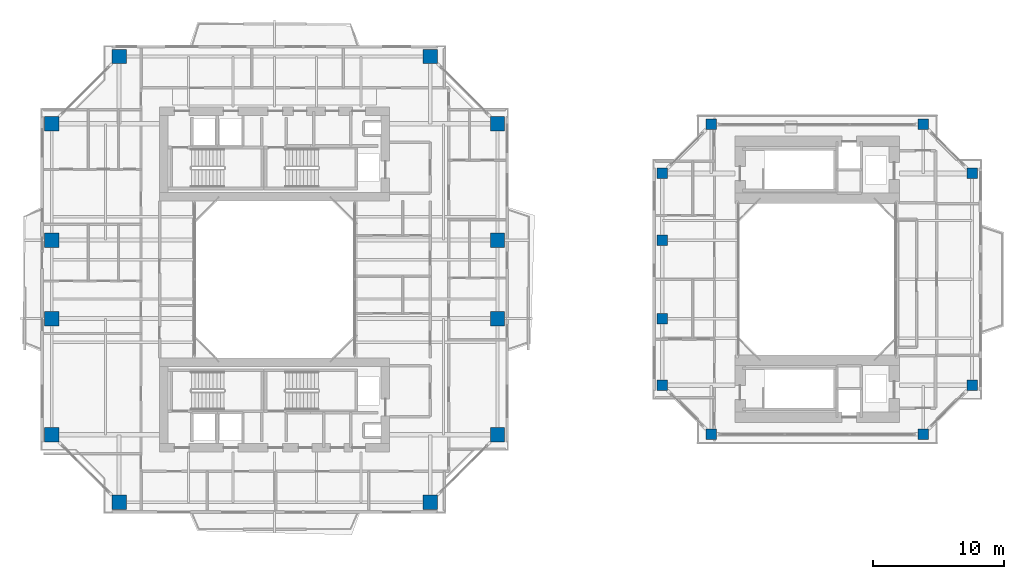
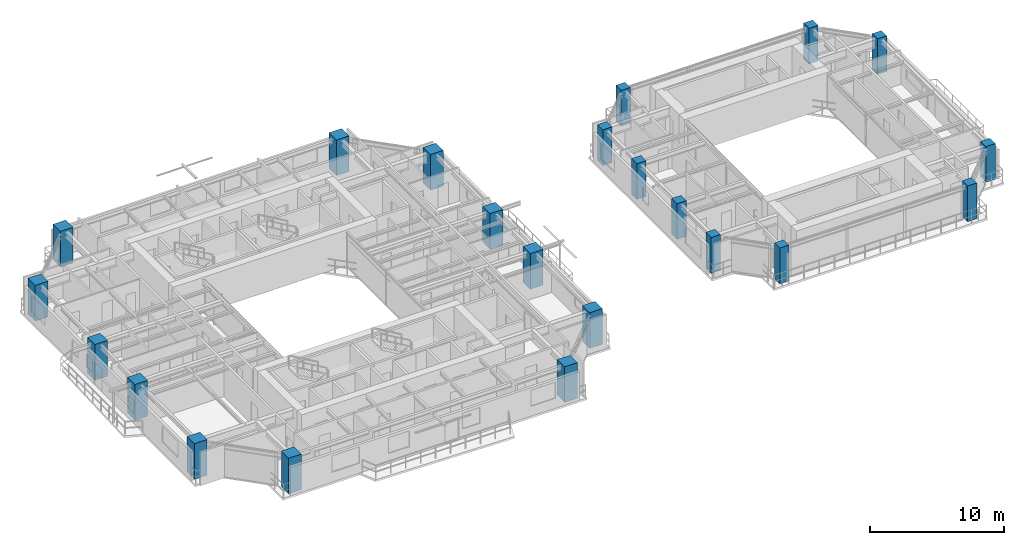
# One storey, part 1 of 24: 22 columns.
"""IFC4 building model written with IfcOpenShell, lengths in metres."""

import ifcopenshell
import ifcopenshell.guid

model = None  # the IFC model being written
_history = None  # IfcOwnerHistory: only IFC2X3 demands one
_inside = {}  # id of a spatial element -> (the spatial element, [elements in it])
_under = {}  # id of a project, library or spatial element -> (it, [spatial elements below it])
_declared = {}  # id of a project -> (the project, [libraries it declares])
_typed = {}  # id of a type object -> (the type object, [elements of that type])
_made_of = {}  # id of a material, layer set ... -> (it, [elements and type objects made of it])


def new_model(schema):
    """Start an empty IFC model of exactly this schema.

    Asked for "IFC4X3", IfcOpenShell would pick the latest addendum, in which some entities
    have other attributes; the version numbers below select the first issue.
    IFC2X3 requires an IfcOwnerHistory on every rooted entity: one is made here for all.
    """
    global model, _history
    if schema == "IFC4X3":
        model = ifcopenshell.file(schema_version=(4, 3, 0, 0))
    else:
        model = ifcopenshell.file(schema=schema)
    _inside.clear()
    _under.clear()
    _declared.clear()
    _typed.clear()
    _made_of.clear()
    _history = None
    if model.schema == "IFC2X3":
        org = make("IfcOrganization", Name="unknown")
        user = make(
            "IfcPersonAndOrganization",
            ThePerson=make("IfcPerson", FamilyName="unknown"),
            TheOrganization=org,
        )
        app = make(
            "IfcApplication",
            ApplicationDeveloper=org,
            Version="unknown",
            ApplicationFullName="unknown",
            ApplicationIdentifier="unknown",
        )
        _history = make(
            "IfcOwnerHistory",
            OwningUser=user,
            OwningApplication=app,
            ChangeAction="ADDED",
            CreationDate=0,
        )
    return model


def make(cls, **values):
    """One entity of the class cls with the attributes given. An attribute that is None is left unset."""
    return model.create_entity(
        cls, **{name: value for name, value in values.items() if value is not None}
    )


def rooted(cls, **values):
    """An entity with a GlobalId (a new one), such as an element, a storey or a relation."""
    return make(cls, GlobalId=ifcopenshell.guid.new(), OwnerHistory=_history, **values)


def si_unit(unit_type, name, prefix=None):
    """IfcSIUnit, for example si_unit("LENGTHUNIT", "METRE", prefix="MILLI")."""
    return make("IfcSIUnit", UnitType=unit_type, Prefix=prefix, Name=name)


def assignment(units):
    """IfcUnitAssignment: the units of a project."""
    return None if units is None else make("IfcUnitAssignment", Units=units)


def point(xyz):
    """IfcCartesianPoint."""
    return None if xyz is None else make("IfcCartesianPoint", Coordinates=xyz)


def direction(xyz):
    """IfcDirection."""
    return None if xyz is None else make("IfcDirection", DirectionRatios=xyz)


def frame(location, z_axis=None, x_axis=None):
    """IfcAxis2Placement3D, a coordinate frame: its origin and axes. An axis left out is left unset."""
    return make(
        "IfcAxis2Placement3D",
        Location=point(location),
        Axis=direction(z_axis),
        RefDirection=direction(x_axis),
    )


def frame_2d(location, x_axis=None):
    """IfcAxis2Placement2D, a coordinate frame in the plane: its origin and x axis."""
    return make(
        "IfcAxis2Placement2D", Location=point(location), RefDirection=direction(x_axis)
    )


def origin():
    """The frame at (0, 0, 0) with its axes left unset."""
    return frame((0.0, 0.0, 0.0))


def origin_2d():
    """The frame at (0, 0) in the plane with its x axis left unset."""
    return frame_2d((0.0, 0.0))


def place(relative_to, where):
    """IfcLocalPlacement: puts the frame where relative to a parent placement (None: the world)."""
    return make(
        "IfcLocalPlacement", PlacementRelTo=relative_to, RelativePlacement=where
    )


def context(
    kind, dimensions, precision=None, world=None, true_north=None, identifier=None
):
    """IfcGeometricRepresentationContext, for example the 3D "Model" context."""
    return make(
        "IfcGeometricRepresentationContext",
        ContextIdentifier=identifier,
        ContextType=kind,
        CoordinateSpaceDimension=dimensions,
        Precision=precision,
        WorldCoordinateSystem=world,
        TrueNorth=true_north,
    )


def subcontext(parent, identifier, kind, view, scale=None):
    """IfcGeometricRepresentationSubContext, for example "Body" below "Model"."""
    return make(
        "IfcGeometricRepresentationSubContext",
        ContextIdentifier=identifier,
        ContextType=kind,
        ParentContext=parent,
        TargetScale=scale,
        TargetView=view,
    )


def project(units=None, contexts=None):
    """IfcProject with its units and contexts."""
    return rooted(
        "IfcProject",
        Name="project",
        RepresentationContexts=contexts,
        UnitsInContext=assignment(units),
    )


def spatial(cls, under=None, at=None, **own):
    """A site, building, storey or space (cls), placed at a placement, below another one or the project."""
    s = rooted(cls, ObjectPlacement=at, **own)
    if under is not None:
        _under.setdefault(under.id(), (under, []))[1].append(s)
    return s


def profile(cls, at=None, kind="AREA", **sizes):
    """A parametric profile (cls). Its sizes go by their IFC names, for example OverallWidth=200.0."""
    return make(cls, ProfileType=kind, Position=at, **sizes)


def rectangle(**sizes):
    """IfcRectangleProfileDef."""
    return profile("IfcRectangleProfileDef", **sizes)


def extrude(swept, where, along, depth):
    """IfcExtrudedAreaSolid: the profile swept, set in the frame where, extruded along a direction by depth."""
    return make(
        "IfcExtrudedAreaSolid",
        SweptArea=swept,
        Position=where,
        ExtrudedDirection=direction(along),
        Depth=depth,
    )


def shape(context_of_items, identifier, shape_type, items):
    """IfcShapeRepresentation: the items that make up one representation, for example the "Body"."""
    return make(
        "IfcShapeRepresentation",
        ContextOfItems=context_of_items,
        RepresentationIdentifier=identifier,
        RepresentationType=shape_type,
        Items=items,
    )


def source(mapping_origin, context_of_items, identifier, shape_type, items):
    """IfcRepresentationMap: a shape defined once, which mapped items show again and again."""
    return make(
        "IfcRepresentationMap",
        MappingOrigin=mapping_origin,
        MappedRepresentation=shape(context_of_items, identifier, shape_type, items),
    )


def transform(
    local_origin,
    x_axis=None,
    y_axis=None,
    z_axis=None,
    scale=None,
    scale2=None,
    scale3=None,
    uniform=True,
):
    """IfcCartesianTransformationOperator3D, or its non-uniform kind. x_axis, y_axis, z_axis: its Axis1, 2, 3."""
    if uniform:
        return make(
            "IfcCartesianTransformationOperator3D",
            Axis1=direction(x_axis),
            Axis2=direction(y_axis),
            LocalOrigin=point(local_origin),
            Scale=scale,
            Axis3=direction(z_axis),
        )
    return make(
        "IfcCartesianTransformationOperator3DnonUniform",
        Axis1=direction(x_axis),
        Axis2=direction(y_axis),
        LocalOrigin=point(local_origin),
        Scale=scale,
        Axis3=direction(z_axis),
        Scale2=scale2,
        Scale3=scale3,
    )


def mapped(mapping_source, mapping_target):
    """IfcMappedItem: shows the shape of a source again, moved by a transform."""
    return make(
        "IfcMappedItem", MappingSource=mapping_source, MappingTarget=mapping_target
    )


def material(Name=None, Category=None):
    """IfcMaterial."""
    return make("IfcMaterial", Name=Name, Category=Category)


def material_profile(
    of_material, cross_section, Name=None, Category=None, Priority=None
):
    """IfcMaterialProfile: a cross section and its material."""
    return make(
        "IfcMaterialProfile",
        Name=Name,
        Material=of_material,
        Profile=cross_section,
        Priority=Priority,
        Category=Category,
    )


def profile_set(profiles, Name=None, composite=None):
    """IfcMaterialProfileSet."""
    return make(
        "IfcMaterialProfileSet",
        Name=Name,
        MaterialProfiles=profiles,
        CompositeProfile=composite,
    )


def made_of(thing, what):
    """Note that an element or type object is made of a material, layer set ...; save() writes the relation."""
    if what is not None:
        _made_of.setdefault(what.id(), (what, []))[1].append(thing)
    return thing


def type_object(cls, material=None, **own):
    """A type object (cls), such as IfcWallType, which elements share."""
    return made_of(rooted(cls, **own), material)


def element(
    cls,
    number,
    at=None,
    inside=None,
    cuts=None,
    type_object=None,
    material=None,
    context=None,
    identifier="Body",
    shape_type=None,
    held_by="IfcProductDefinitionShape",
    body=None,
    shapes=None,
    **own,
):
    """One element of the class cls, such as IfcWall. Its Tag is "e" and its number.

    at: its placement. inside: the storey or other place that contains it. cuts: it is an
    opening in that element (IfcRelVoidsElement). A single representation is given by context,
    identifier, shape_type and body (its items); several are given by shapes. held_by: the class
    of the entity that holds the representations. save() writes the other relations.
    """
    e = rooted(cls, Tag="e%d" % number, ObjectPlacement=at, **own)
    if body is not None:
        shapes = [shape(context, identifier, shape_type, body)]
    if shapes is not None:
        e.Representation = make(held_by, Representations=shapes)
    if inside is not None:
        _inside.setdefault(inside.id(), (inside, []))[1].append(e)
    if cuts is not None:
        rooted(
            "IfcRelVoidsElement", RelatingBuildingElement=cuts, RelatedOpeningElement=e
        )
    if type_object is not None:
        _typed.setdefault(type_object.id(), (type_object, []))[1].append(e)
    return made_of(e, material)


def aggregate(whole, parts):
    """IfcRelAggregates: a whole, such as a stair, and the parts it consists of."""
    return rooted("IfcRelAggregates", RelatingObject=whole, RelatedObjects=parts)


def save(model, path):
    """Write the relations noted so far, then the file.

    IfcRelAggregates (storeys below a building ...), IfcRelContainedInSpatialStructure (elements
    in a storey), IfcRelDefinesByType, IfcRelAssociatesMaterial and IfcRelDeclares: one each for
    every whole, place, type object, material and project.
    """
    for whole, parts in _under.values():
        aggregate(whole, parts)
    for where, things in _inside.values():
        rooted(
            "IfcRelContainedInSpatialStructure",
            RelatedElements=things,
            RelatingStructure=where,
        )
    for kind, things in _typed.values():
        rooted("IfcRelDefinesByType", RelatedObjects=things, RelatingType=kind)
    for what, things in _made_of.values():
        rooted("IfcRelAssociatesMaterial", RelatedObjects=things, RelatingMaterial=what)
    for by, libraries in _declared.values():
        rooted("IfcRelDeclares", RelatingContext=by, RelatedDefinitions=libraries)
    model.write(path)


model = new_model("IFC4")

# Units and contexts
model_context = context("Model", 3, precision=1e-05, world=origin(), true_north=direction((0.0, 1.0)))
body_context = subcontext(model_context, "Body", "Model", "MODEL_VIEW")
ifc_project = project(units=[si_unit("LENGTHUNIT", "METRE"), si_unit("AREAUNIT", "SQUARE_METRE"), si_unit("VOLUMEUNIT", "CUBIC_METRE"), si_unit("PLANEANGLEUNIT", "RADIAN"), si_unit("MASSUNIT", "GRAM", prefix="KILO"), si_unit("THERMODYNAMICTEMPERATUREUNIT", "KELVIN"), si_unit("POWERUNIT", "WATT")], contexts=[model_context])

# Site, building, storey
site_placement = place(None, origin())
site = spatial("IfcSite", under=ifc_project, at=site_placement, CompositionType="ELEMENT")
building_placement = place(site_placement, origin())
building = spatial("IfcBuilding", under=site, at=building_placement, Name="Qiaomeng Ring Towers", CompositionType="ELEMENT")
storey_placement = place(building_placement, frame((0.0, 0.0, 110.0)))
storey = spatial("IfcBuildingStorey", under=building, at=storey_placement, Name="L31", CompositionType="ELEMENT", Elevation=110.0)

# Columns
ifc_material = material(Name="Concrete C55", Category="concrete")
ifc_material_profile_1 = material_profile(ifc_material, rectangle(XDim=0.800048828125, YDim=0.800048828125, at=origin_2d()), Name="RC COL 800x800")
ifc_profile_set_1 = profile_set([ifc_material_profile_1], Name="Concrete C55")
column_type_1 = type_object("IfcColumnType", Name="STR-COL-800-C55", PredefinedType="COLUMN", material=ifc_profile_set_1)
shared_shape_1 = source(origin(), body_context, "Body", "SweptSolid", [
    extrude(rectangle(XDim=0.800048828125, YDim=0.800048828125, at=origin_2d()), origin(), (0.0, 0.0, 1.0), 3.25),
])
for number, where, z_axis, x_axis, name in (
    (1, (52.39990234375, 11.14990234375, 0.0), (0.0, 0.0, 1.0), (1.0, 0.0, 0.0), "L31 column STR-COL-L31-T2-S1"),
    (2, (68.60009765625, 11.14990234375, 0.0), (0.0, 0.0, 1.0), (1.0, 0.0, 0.0), "L31 column STR-COL-L31-T2-S2"),
    (3, (72.35009765625, 14.89990234375, 0.0), (0.0, 0.0, 1.0), (1.0, 0.0, 0.0), "L31 column STR-COL-L31-T2-E1"),
    (4, (72.35009765625, 31.10009765625, 0.0), (0.0, 0.0, 1.0), (1.0, 0.0, 0.0), "L31 column STR-COL-L31-T2-E2"),
    (5, (68.60009765625, 34.85009765625, 0.0), (0.0, 0.0, 1.0), (1.0, 0.0, 0.0), "L31 column STR-COL-L31-T2-N2"),
    (6, (52.39990234375, 34.85009765625, 0.0), (0.0, 0.0, 1.0), (1.0, 0.0, 0.0), "L31 column STR-COL-L31-T2-N1"),
    (7, (48.64990234375, 14.89990234375, 0.0), (0.0, 0.0, 1.0), (1.0, 0.0, 0.0), "L31 column STR-COL-L31-T2-W1"),
    (8, (48.64990234375, 20.0, 0.0), (0.0, 0.0, 1.0), (1.0, 0.0, 0.0), "L31 column STR-COL-L31-T2-W2"),
    (9, (48.64990234375, 26.0, 0.0), (0.0, 0.0, 1.0), (1.0, 0.0, 0.0), "L31 column STR-COL-L31-T2-W3"),
    (10, (48.64990234375, 31.10009765625, 0.0), (0.0, 0.0, 1.0), (1.0, 0.0, 0.0), "L31 column STR-COL-L31-T2-W4"),
):
    element("IfcColumn", number, at=place(storey_placement, frame(where, z_axis=z_axis, x_axis=x_axis)), inside=storey, type_object=column_type_1, Name=name, PredefinedType="COLUMN", context=body_context, shape_type="MappedRepresentation", body=[
        mapped(shared_shape_1, transform((0.0, 0.0, 0.0), x_axis=(1.0, 0.0, 0.0), y_axis=(0.0, 1.0, 0.0), z_axis=(0.0, 0.0, 1.0), scale=1.0)),
    ])
ifc_material_profile_2 = material_profile(ifc_material, rectangle(XDim=1.10009765625, YDim=1.10009765625, at=origin_2d()), Name="RC COL 1100x1100")
ifc_profile_set_2 = profile_set([ifc_material_profile_2], Name="Concrete C55")
column_type_2 = type_object("IfcColumnType", Name="STR-COL-1100-C55", PredefinedType="COLUMN", material=ifc_profile_set_2)
shared_shape_2 = source(origin(), body_context, "Body", "SweptSolid", [
    extrude(rectangle(XDim=1.10009765625, YDim=1.10009765625, at=origin_2d()), origin(), (0.0, 0.0, 1.0), 3.25),
])
for number, where, z_axis, x_axis, name in (
    (11, (7.10009765625, 5.949951171875, 0.0), (0.0, 0.0, 1.0), (1.0, 0.0, 0.0), "L31 column STR-COL-L31-T1-S1"),
    (12, (30.89990234375, 5.949951171875, 0.0), (0.0, 0.0, 1.0), (1.0, 0.0, 0.0), "L31 column STR-COL-L31-T1-S2"),
    (13, (36.050048828125, 11.10009765625, 0.0), (0.0, 0.0, 1.0), (1.0, 0.0, 0.0), "L31 column STR-COL-L31-T1-E1"),
    (14, (36.050048828125, 20.0, 0.0), (0.0, 0.0, 1.0), (1.0, 0.0, 0.0), "L31 column STR-COL-L31-T1-E2"),
    (15, (36.050048828125, 26.0, 0.0), (0.0, 0.0, 1.0), (1.0, 0.0, 0.0), "L31 column STR-COL-L31-T1-E3"),
    (16, (36.050048828125, 34.89990234375, 0.0), (0.0, 0.0, 1.0), (1.0, 0.0, 0.0), "L31 column STR-COL-L31-T1-E4"),
    (17, (30.89990234375, 40.050048828125, 0.0), (0.0, 0.0, 1.0), (1.0, 0.0, 0.0), "L31 column STR-COL-L31-T1-N2"),
    (18, (7.10009765625, 40.050048828125, 0.0), (0.0, 0.0, 1.0), (1.0, 0.0, 0.0), "L31 column STR-COL-L31-T1-N1"),
    (19, (1.949951171875, 34.89990234375, 0.0), (0.0, 0.0, 1.0), (1.0, 0.0, 0.0), "L31 column STR-COL-L31-T1-W4"),
    (20, (1.949951171875, 26.0, 0.0), (0.0, 0.0, 1.0), (1.0, 0.0, 0.0), "L31 column STR-COL-L31-T1-W3"),
    (21, (1.949951171875, 20.0, 0.0), (0.0, 0.0, 1.0), (1.0, 0.0, 0.0), "L31 column STR-COL-L31-T1-W2"),
    (22, (1.949951171875, 11.10009765625, 0.0), (0.0, 0.0, 1.0), (1.0, 0.0, 0.0), "L31 column STR-COL-L31-T1-W1"),
):
    element("IfcColumn", number, at=place(storey_placement, frame(where, z_axis=z_axis, x_axis=x_axis)), inside=storey, type_object=column_type_2, Name=name, PredefinedType="COLUMN", context=body_context, shape_type="MappedRepresentation", body=[
        mapped(shared_shape_2, transform((0.0, 0.0, 0.0), x_axis=(1.0, 0.0, 0.0), y_axis=(0.0, 1.0, 0.0), z_axis=(0.0, 0.0, 1.0), scale=1.0)),
    ])

save(model, "model.ifc")
